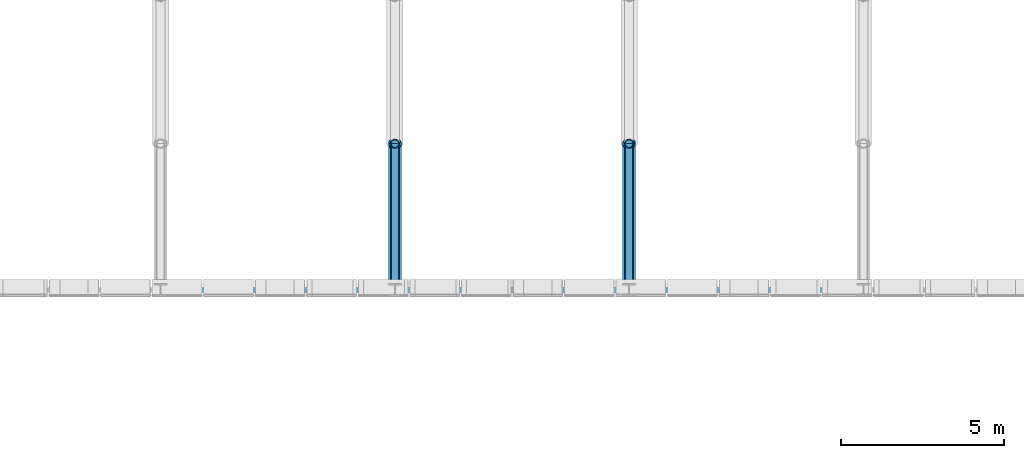
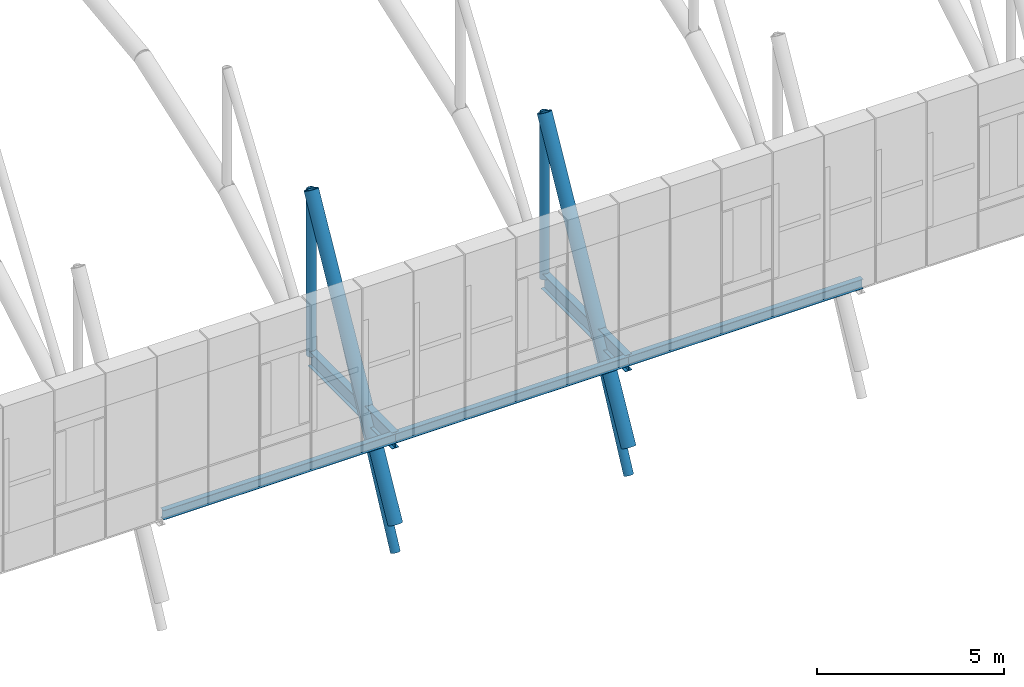
# One storey, part 24 of 144: 6 members, 5 beams.
"""IFC4 building model written with IfcOpenShell, lengths in metres."""

from ifc_helpers import new_model, si_unit, direction, frame, origin, origin_2d, place, context, subcontext, project, spatial, hollow_circle, i_section, extrude, material, material_profile, profile_set, type_object, element, save


model = new_model("IFC4")

# Units and contexts
model_context = context("Model", 3, precision=1e-05, world=origin(), true_north=direction((0.0, 1.0)))
body_context = subcontext(model_context, "Body", "Model", "MODEL_VIEW")
ifc_project = project(units=[si_unit("LENGTHUNIT", "METRE"), si_unit("AREAUNIT", "SQUARE_METRE"), si_unit("VOLUMEUNIT", "CUBIC_METRE"), si_unit("PLANEANGLEUNIT", "RADIAN"), si_unit("MASSUNIT", "GRAM", prefix="KILO")], contexts=[model_context])

# Site, building, storey
site_placement = place(None, origin())
site = spatial("IfcSite", under=ifc_project, at=site_placement, CompositionType="ELEMENT")
building_placement = place(site_placement, origin())
building = spatial("IfcBuilding", under=site, at=building_placement, Name="Yarey Park Central Fire Station", CompositionType="ELEMENT")
storey_placement = place(building_placement, frame((0.0, 0.0, 10.199951171875)))
storey = spatial("IfcBuildingStorey", under=building, at=storey_placement, Name="L03", CompositionType="ELEMENT", Elevation=10.199951171875)

# Beams
ifc_material_1 = material(Name="Steel ASTM A992 Gr. 50", Category="steel")
ifc_material_profile_1 = material_profile(ifc_material_1, i_section(OverallWidth=0.208984375, OverallDepth=0.532958984375, WebThickness=0.01025390625, FlangeThickness=0.015625, at=origin_2d()), Name="W530x92")
ifc_profile_set_1 = profile_set([ifc_material_profile_1], Name="Steel ASTM A992 Gr. 50")
beam_type_1 = type_object("IfcBeamType", Name="STR_BM_W530", PredefinedType="BEAM", material=ifc_profile_set_1)
for number, where, z_axis, x_axis, name in (
    (1, (93.60009765625, 57.60009765625, -0.54638671875), (0.0, 1.0, 0.0), (-1.0, 0.0, 0.0), "V2 BOX OUT S L03 93"),
    (2, (100.800048828125, 57.60009765625, -0.54638671875), (0.0, 1.0, 0.0), (-1.0, 0.0, 0.0), "V2 BOX OUT S L03 100"),
):
    element("IfcBeam", number, at=place(storey_placement, frame(where, z_axis=z_axis, x_axis=x_axis)), inside=storey, type_object=beam_type_1, Name=name, PredefinedType="BEAM", context=body_context, shape_type="SweptSolid", body=[
        extrude(i_section(OverallWidth=0.208984375, OverallDepth=0.532958984375, WebThickness=0.01025390625, FlangeThickness=0.015625, at=origin_2d()), origin(), (0.0, 0.0, 1.0), 4.5),
    ])

# Members
ifc_material_2 = material(Name="Steel ASTM A500 Gr. C", Category="steel")
ifc_material_profile_2 = material_profile(ifc_material_2, hollow_circle(Radius=0.203125, WallThickness=0.01611328125, at=origin_2d()), Name="CHS 406.4x16")
ifc_profile_set_2 = profile_set([ifc_material_profile_2], Name="Steel ASTM A500 Gr. C")
member_type_1 = type_object("IfcMemberType", Name="STR_CHORD_CHS406", PredefinedType="CHORD", material=ifc_profile_set_2)
for number, where, z_axis, x_axis, name in (
    (3, (93.60009765625, 57.60009765625, -3.280029296875), (0.0, 0.481210036658, 0.876605327738), (-1.0, 0.0, 0.0), "Arched Roof Truss ART_06 Top Chord 1"),
    (4, (100.800048828125, 57.60009765625, -3.280029296875), (0.0, 0.481210036658, 0.876605327738), (-1.0, 0.0, 0.0), "Arched Roof Truss ART_07 Top Chord 1"),
):
    element("IfcMember", number, at=place(storey_placement, frame(where, z_axis=z_axis, x_axis=x_axis)), inside=storey, type_object=member_type_1, Name=name, PredefinedType="CHORD", context=body_context, shape_type="SweptSolid", body=[
        extrude(hollow_circle(Radius=0.203125, WallThickness=0.01611328125, at=origin_2d()), origin(), (0.0, 0.0, 1.0), 9.351318359375),
    ])

# Beams
ifc_material_profile_3 = material_profile(ifc_material_1, i_section(OverallWidth=0.1650390625, OverallDepth=0.31005859375, WebThickness=0.005859375, FlangeThickness=0.009765625, at=origin_2d()), Name="W310x39")
ifc_profile_set_3 = profile_set([ifc_material_profile_3], Name="Steel ASTM A992 Gr. 50")
beam_type_2 = type_object("IfcBeamType", Name="STR_SPN_W310", PredefinedType="SPANDREL", material=ifc_profile_set_3)
beam_placement = place(storey_placement, frame((86.39990234375, 57.60009765625, -0.43505859375), z_axis=(1.0, 0.0, 0.0), x_axis=(0.0, 1.0, 0.0)))
element("IfcBeam", 5, at=beam_placement, inside=storey, type_object=beam_type_2, Name="V2 BOX GIRT S B1 05", PredefinedType="SPANDREL", context=body_context, shape_type="SweptSolid", body=[
    extrude(i_section(OverallWidth=0.1650390625, OverallDepth=0.31005859375, WebThickness=0.005859375, FlangeThickness=0.009765625, at=origin_2d()), origin(), (0.0, 0.0, 1.0), 7.2001953125),
])
for number, where, z_axis, x_axis, name in (
    (6, (93.60009765625, 57.60009765625, -0.43505859375), (1.0, 0.0, 0.0), (0.0, 1.0, 0.0), "V2 BOX GIRT S B1 06"),
    (7, (100.800048828125, 57.60009765625, -0.43505859375), (1.0, 0.0, 0.0), (0.0, 1.0, 0.0), "V2 BOX GIRT S B1 07"),
):
    element("IfcBeam", number, at=place(storey_placement, frame(where, z_axis=z_axis, x_axis=x_axis)), inside=storey, type_object=beam_type_2, Name=name, PredefinedType="SPANDREL", context=body_context, shape_type="SweptSolid", body=[
        extrude(i_section(OverallWidth=0.1650390625, OverallDepth=0.31005859375, WebThickness=0.005859375, FlangeThickness=0.009765625, at=origin_2d()), origin(), (0.0, 0.0, 1.0), 7.199951171875),
    ])

# Members
ifc_material_profile_4 = material_profile(ifc_material_2, hollow_circle(Radius=0.136474609375, WallThickness=0.012451171875, at=origin_2d()), Name="CHS 273x12.5")
ifc_profile_set_4 = profile_set([ifc_material_profile_4], Name="Steel ASTM A500 Gr. C")
member_type_2 = type_object("IfcMemberType", Name="STR_WEB_CHS273", PredefinedType="BRACE", material=ifc_profile_set_4)
member_1_placement = place(storey_placement, frame((93.60009765625, 57.60009765625, -4.199951171875), z_axis=(0.0, 0.442587736107, 0.89672520643), x_axis=(-1.0, 0.0, 0.0)))
element("IfcMember", 8, at=member_1_placement, inside=storey, type_object=member_type_2, Name="Arched Roof Truss ART_06 Diagonal 1", PredefinedType="BRACE", context=body_context, shape_type="SweptSolid", body=[
    extrude(hollow_circle(Radius=0.136474609375, WallThickness=0.012451171875, at=origin_2d()), origin(), (0.0, 0.0, 1.0), 10.16748046875),
])
member_2_placement = place(storey_placement, frame((93.60009765625, 62.10009765625, -0.481201171875), z_axis=(0.0, 0.0, 1.0), x_axis=(1.0, 0.0, 0.0)))
element("IfcMember", 9, at=member_2_placement, inside=storey, type_object=member_type_2, Name="Arched Roof Truss ART_06 Vertical 2", PredefinedType="BRACE", context=body_context, shape_type="SweptSolid", body=[
    extrude(hollow_circle(Radius=0.136474609375, WallThickness=0.012451171875, at=origin_2d()), origin(), (0.0, 0.0, 1.0), 5.398681640625),
])
member_3_placement = place(storey_placement, frame((100.800048828125, 57.60009765625, -4.199951171875), z_axis=(0.0, 0.442587736107, 0.89672520643), x_axis=(-1.0, 0.0, 0.0)))
element("IfcMember", 10, at=member_3_placement, inside=storey, type_object=member_type_2, Name="Arched Roof Truss ART_07 Diagonal 1", PredefinedType="BRACE", context=body_context, shape_type="SweptSolid", body=[
    extrude(hollow_circle(Radius=0.136474609375, WallThickness=0.012451171875, at=origin_2d()), origin(), (0.0, 0.0, 1.0), 10.16748046875),
])
member_4_placement = place(storey_placement, frame((100.800048828125, 62.10009765625, -0.481201171875), z_axis=(0.0, 0.0, 1.0), x_axis=(1.0, 0.0, 0.0)))
element("IfcMember", 11, at=member_4_placement, inside=storey, type_object=member_type_2, Name="Arched Roof Truss ART_07 Vertical 2", PredefinedType="BRACE", context=body_context, shape_type="SweptSolid", body=[
    extrude(hollow_circle(Radius=0.136474609375, WallThickness=0.012451171875, at=origin_2d()), origin(), (0.0, 0.0, 1.0), 5.398681640625),
])

save(model, "model.ifc")
